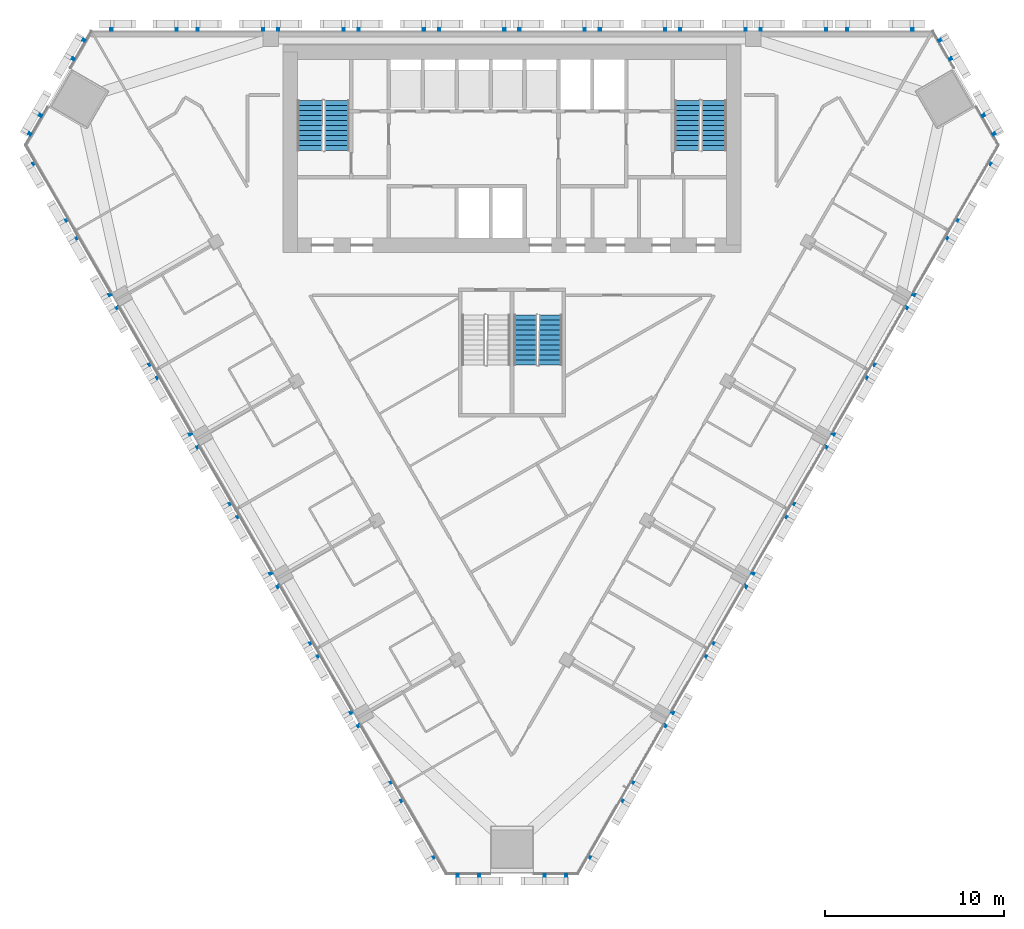
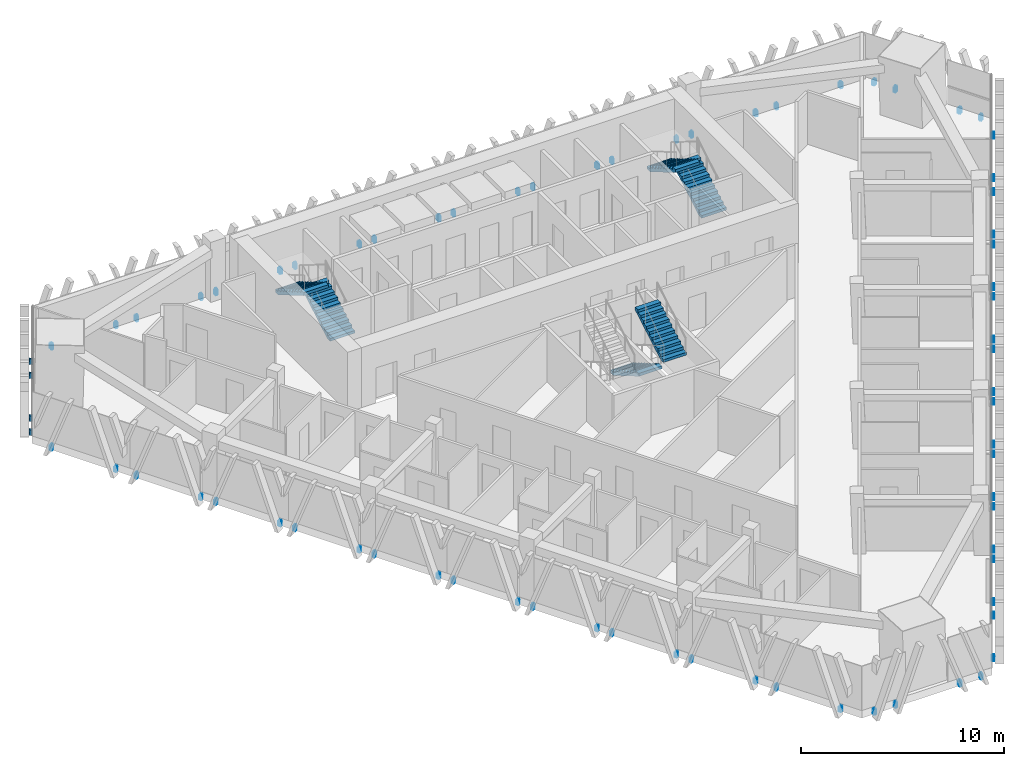
# One storey, part 13 of 16: 6 discrete accessories, 6 stair flights, 3 elements without a shape of their own.
"""IFC4 building model written with IfcOpenShell, lengths in metres."""

from ifc_helpers import new_model, si_unit, direction, frame, origin, place, context, subcontext, project, spatial, polyline, outline, extrude, source, transform, mapped, material, type_object, element, aggregate, save


model = new_model("IFC4")

# Units and contexts
model_context = context("Model", 3, precision=1e-05, world=origin(), true_north=direction((0.0, 1.0)))
body_context = subcontext(model_context, "Body", "Model", "MODEL_VIEW")
ifc_project = project(units=[si_unit("LENGTHUNIT", "METRE"), si_unit("AREAUNIT", "SQUARE_METRE"), si_unit("VOLUMEUNIT", "CUBIC_METRE"), si_unit("PLANEANGLEUNIT", "RADIAN"), si_unit("MASSUNIT", "GRAM", prefix="KILO")], contexts=[model_context])

# Site, building, storey
site_placement = place(None, origin())
site = spatial("IfcSite", under=ifc_project, at=site_placement, CompositionType="ELEMENT")
building_placement = place(site_placement, origin())
building = spatial("IfcBuilding", under=site, at=building_placement, Name="Altiplano Prism Tower", CompositionType="ELEMENT")
storey_placement = place(building_placement, frame((0.0, 0.0, 149.39990234375)))
storey = spatial("IfcBuildingStorey", under=building, at=storey_placement, Name="L38", CompositionType="ELEMENT", Elevation=149.39990234375)

# Stair, stair flights
ifc_material_1 = material(Name="Concrete C40/50", Category="concrete")
stair_type_1 = type_object("IfcStairType", Name="Exit stair 1400", PredefinedType="HALF_TURN_STAIR", material=ifc_material_1)
stair_1_placement = place(storey_placement, origin())
stair_1 = element("IfcStair", 1, at=stair_1_placement, inside=storey, type_object=stair_type_1, Name="L38 Exit Stair 1", PredefinedType="HALF_TURN_STAIR")
stair_flight_type = type_object("IfcStairFlightType", Name="Stair flight concrete 150", PredefinedType="STRAIGHT", material=ifc_material_1)
stair_flight_1_placement = place(storey_placement, frame((75.199951171875, 98.300048828125, 0.0), z_axis=(0.0, 0.0, 1.0), x_axis=(0.0, 1.0, 0.0)))
stair_flight_1 = element("IfcStairFlight", 2, at=stair_flight_1_placement, type_object=stair_flight_type, Name="ST1 flight 1", NumberOfRisers=11, NumberOfTreads=10, PredefinedType="STRAIGHT", RiserHeight=0.163636364, TreadLength=0.28, context=body_context, shape_type="SweptSolid", body=[
    extrude(outline(polyline([(0.0, 0.0), (0.0, 0.16357421875), (0.280029296875, 0.16357421875), (0.280029296875, 0.327392578125), (0.56005859375, 0.327392578125), (0.56005859375, 0.490966796875), (0.840087890625, 0.490966796875), (0.840087890625, 0.654541015625), (1.1201171875, 0.654541015625), (1.1201171875, 0.818115234375), (1.39990234375, 0.818115234375), (1.39990234375, 0.98193359375), (1.679931640625, 0.98193359375), (1.679931640625, 1.1455078125), (1.9599609375, 1.1455078125), (1.9599609375, 1.30908203125), (2.239990234375, 1.30908203125), (2.239990234375, 1.47265625), (2.52001953125, 1.47265625), (2.52001953125, 1.636474609375), (2.800048828125, 1.636474609375), (2.800048828125, 1.800048828125), (2.800048828125, 1.462646484375), (0.297119140625, 0.0), (0.0, 0.0)])), frame((0.0, 0.699951171875, 0.0), z_axis=(0.0, -1.0, 0.0), x_axis=(1.0, 0.0, 0.0)), (0.0, 0.0, 1.0), 1.39990234375),
])
stair_flight_2_placement = place(storey_placement, frame((73.699951171875, 101.10009765625, 1.800048828125), z_axis=(0.0, 0.0, 1.0), x_axis=(0.0, -1.0, 0.0)))
stair_flight_2 = element("IfcStairFlight", 3, at=stair_flight_2_placement, type_object=stair_flight_type, Name="ST1 flight 2", NumberOfRisers=11, NumberOfTreads=10, PredefinedType="STRAIGHT", RiserHeight=0.163636364, TreadLength=0.28, context=body_context, shape_type="SweptSolid", body=[
    extrude(outline(polyline([(0.0, 0.0), (0.0, 0.16357421875), (0.280029296875, 0.16357421875), (0.280029296875, 0.327392578125), (0.56005859375, 0.327392578125), (0.56005859375, 0.490966796875), (0.840087890625, 0.490966796875), (0.840087890625, 0.654541015625), (1.1201171875, 0.654541015625), (1.1201171875, 0.818115234375), (1.39990234375, 0.818115234375), (1.39990234375, 0.98193359375), (1.679931640625, 0.98193359375), (1.679931640625, 1.1455078125), (1.9599609375, 1.1455078125), (1.9599609375, 1.30908203125), (2.239990234375, 1.30908203125), (2.239990234375, 1.47265625), (2.52001953125, 1.47265625), (2.52001953125, 1.636474609375), (2.800048828125, 1.636474609375), (2.800048828125, 1.800048828125), (2.800048828125, 1.462646484375), (0.297119140625, 0.0), (0.0, 0.0)])), frame((0.0, 0.699951171875, 0.0), z_axis=(0.0, -1.0, 0.0), x_axis=(1.0, 0.0, 0.0)), (0.0, 0.0, 1.0), 1.39990234375),
])
aggregate(stair_1, [stair_flight_1, stair_flight_2])

stair_2_placement = place(storey_placement, origin())
stair_2 = element("IfcStair", 4, at=stair_2_placement, inside=storey, type_object=stair_type_1, Name="L38 Exit Stair 2", PredefinedType="HALF_TURN_STAIR")
stair_flight_3_placement = place(storey_placement, frame((96.300048828125, 98.300048828125, 0.0), z_axis=(0.0, 0.0, 1.0), x_axis=(0.0, 1.0, 0.0)))
stair_flight_3 = element("IfcStairFlight", 5, at=stair_flight_3_placement, type_object=stair_flight_type, Name="ST2 flight 1", NumberOfRisers=11, NumberOfTreads=10, PredefinedType="STRAIGHT", RiserHeight=0.163636364, TreadLength=0.28, context=body_context, shape_type="SweptSolid", body=[
    extrude(outline(polyline([(0.0, 0.0), (0.0, 0.16357421875), (0.280029296875, 0.16357421875), (0.280029296875, 0.327392578125), (0.56005859375, 0.327392578125), (0.56005859375, 0.490966796875), (0.840087890625, 0.490966796875), (0.840087890625, 0.654541015625), (1.1201171875, 0.654541015625), (1.1201171875, 0.818115234375), (1.39990234375, 0.818115234375), (1.39990234375, 0.98193359375), (1.679931640625, 0.98193359375), (1.679931640625, 1.1455078125), (1.9599609375, 1.1455078125), (1.9599609375, 1.30908203125), (2.239990234375, 1.30908203125), (2.239990234375, 1.47265625), (2.52001953125, 1.47265625), (2.52001953125, 1.636474609375), (2.800048828125, 1.636474609375), (2.800048828125, 1.800048828125), (2.800048828125, 1.462646484375), (0.297119140625, 0.0), (0.0, 0.0)])), frame((0.0, 0.699951171875, 0.0), z_axis=(0.0, -1.0, 0.0), x_axis=(1.0, 0.0, 0.0)), (0.0, 0.0, 1.0), 1.39990234375),
])
stair_flight_4_placement = place(storey_placement, frame((94.800048828125, 101.10009765625, 1.800048828125), z_axis=(0.0, 0.0, 1.0), x_axis=(0.0, -1.0, 0.0)))
stair_flight_4 = element("IfcStairFlight", 6, at=stair_flight_4_placement, type_object=stair_flight_type, Name="ST2 flight 2", NumberOfRisers=11, NumberOfTreads=10, PredefinedType="STRAIGHT", RiserHeight=0.163636364, TreadLength=0.28, context=body_context, shape_type="SweptSolid", body=[
    extrude(outline(polyline([(0.0, 0.0), (0.0, 0.16357421875), (0.280029296875, 0.16357421875), (0.280029296875, 0.327392578125), (0.56005859375, 0.327392578125), (0.56005859375, 0.490966796875), (0.840087890625, 0.490966796875), (0.840087890625, 0.654541015625), (1.1201171875, 0.654541015625), (1.1201171875, 0.818115234375), (1.39990234375, 0.818115234375), (1.39990234375, 0.98193359375), (1.679931640625, 0.98193359375), (1.679931640625, 1.1455078125), (1.9599609375, 1.1455078125), (1.9599609375, 1.30908203125), (2.239990234375, 1.30908203125), (2.239990234375, 1.47265625), (2.52001953125, 1.47265625), (2.52001953125, 1.636474609375), (2.800048828125, 1.636474609375), (2.800048828125, 1.800048828125), (2.800048828125, 1.462646484375), (0.297119140625, 0.0), (0.0, 0.0)])), frame((0.0, 0.699951171875, 0.0), z_axis=(0.0, -1.0, 0.0), x_axis=(1.0, 0.0, 0.0)), (0.0, 0.0, 1.0), 1.39990234375),
])
aggregate(stair_2, [stair_flight_3, stair_flight_4])

stair_type_2 = type_object("IfcStairType", Name="Exit stair 1300", PredefinedType="HALF_TURN_STAIR", material=ifc_material_1)
stair_3_placement = place(storey_placement, origin())
stair_3 = element("IfcStair", 7, at=stair_3_placement, inside=storey, type_object=stair_type_2, Name="L38 Exit Stair 3B", PredefinedType="HALF_TURN_STAIR")
stair_flight_5_placement = place(storey_placement, frame((85.75, 89.10009765625, 0.0), z_axis=(0.0, 0.0, 1.0), x_axis=(0.0, -1.0, 0.0)))
stair_flight_5 = element("IfcStairFlight", 8, at=stair_flight_5_placement, type_object=stair_flight_type, Name="ST3B flight 1", NumberOfRisers=11, NumberOfTreads=10, PredefinedType="STRAIGHT", RiserHeight=0.163636364, TreadLength=0.28, context=body_context, shape_type="SweptSolid", body=[
    extrude(outline(polyline([(0.0, 0.0), (0.0, 0.16357421875), (0.280029296875, 0.16357421875), (0.280029296875, 0.327392578125), (0.56005859375, 0.327392578125), (0.56005859375, 0.490966796875), (0.840087890625, 0.490966796875), (0.840087890625, 0.654541015625), (1.1201171875, 0.654541015625), (1.1201171875, 0.818115234375), (1.39990234375, 0.818115234375), (1.39990234375, 0.98193359375), (1.679931640625, 0.98193359375), (1.679931640625, 1.1455078125), (1.9599609375, 1.1455078125), (1.9599609375, 1.30908203125), (2.239990234375, 1.30908203125), (2.239990234375, 1.47265625), (2.52001953125, 1.47265625), (2.52001953125, 1.636474609375), (2.800048828125, 1.636474609375), (2.800048828125, 1.800048828125), (2.800048828125, 1.462646484375), (0.297119140625, 0.0), (0.0, 0.0)])), frame((0.0, 0.64990234375, 0.0), z_axis=(0.0, -1.0, 0.0), x_axis=(1.0, 0.0, 0.0)), (0.0, 0.0, 1.0), 1.300048828125),
])
stair_flight_6_placement = place(storey_placement, frame((87.14990234375, 86.300048828125, 1.800048828125), z_axis=(0.0, 0.0, 1.0), x_axis=(0.0, 1.0, 0.0)))
stair_flight_6 = element("IfcStairFlight", 9, at=stair_flight_6_placement, type_object=stair_flight_type, Name="ST3B flight 2", NumberOfRisers=11, NumberOfTreads=10, PredefinedType="STRAIGHT", RiserHeight=0.163636364, TreadLength=0.28, context=body_context, shape_type="SweptSolid", body=[
    extrude(outline(polyline([(0.0, 0.0), (0.0, 0.16357421875), (0.280029296875, 0.16357421875), (0.280029296875, 0.327392578125), (0.56005859375, 0.327392578125), (0.56005859375, 0.490966796875), (0.840087890625, 0.490966796875), (0.840087890625, 0.654541015625), (1.1201171875, 0.654541015625), (1.1201171875, 0.818115234375), (1.39990234375, 0.818115234375), (1.39990234375, 0.98193359375), (1.679931640625, 0.98193359375), (1.679931640625, 1.1455078125), (1.9599609375, 1.1455078125), (1.9599609375, 1.30908203125), (2.239990234375, 1.30908203125), (2.239990234375, 1.47265625), (2.52001953125, 1.47265625), (2.52001953125, 1.636474609375), (2.800048828125, 1.636474609375), (2.800048828125, 1.800048828125), (2.800048828125, 1.462646484375), (0.297119140625, 0.0), (0.0, 0.0)])), frame((0.0, 0.64990234375, 0.0), z_axis=(0.0, -1.0, 0.0), x_axis=(1.0, 0.0, 0.0)), (0.0, 0.0, 1.0), 1.300048828125),
])
aggregate(stair_3, [stair_flight_5, stair_flight_6])

# Discrete accessories
ifc_material_2 = material(Name="Stainless steel", Category="steel")
discrete_accessory_type = type_object("IfcDiscreteAccessoryType", Name="Stone fin fixing prongs", PredefinedType="USERDEFINED", material=ifc_material_2)
shared_shape_1 = source(origin(), body_context, "Body", "SweptSolid", [
    extrude(outline(polyline([(-1.888427734375, 0.06005859375), (-1.768310546875, 0.06005859375), (-1.768310546875, 0.389892578125), (-1.888427734375, 0.389892578125), (-1.888427734375, 0.06005859375)])), frame((0.0, 0.0, 0.0), z_axis=(0.0, -1.0, 0.0), x_axis=(1.0, 0.0, 0.0)), (0.0, 0.0, 1.0), 0.14990234375),
    extrude(outline(polyline([(1.768310546875, 0.06005859375), (1.888427734375, 0.06005859375), (1.888427734375, 0.389892578125), (1.768310546875, 0.389892578125), (1.768310546875, 0.06005859375)])), frame((0.0, 0.0, 0.0), z_axis=(0.0, -1.0, 0.0), x_axis=(1.0, 0.0, 0.0)), (0.0, 0.0, 1.0), 0.14990234375),
])
shared_shape_2 = source(origin(), body_context, "Body", "SweptSolid", [
    extrude(outline(polyline([(-1.888427734375, 0.06005859375), (-1.768310546875, 0.06005859375), (-1.768310546875, 0.389892578125), (-1.888427734375, 0.389892578125), (-1.888427734375, 0.06005859375)])), frame((0.0, 0.0, 0.0), z_axis=(0.0, -1.0, 0.0), x_axis=(1.0, 0.0, 0.0)), (0.0, 0.0, 1.0), 0.14990234375),
    extrude(outline(polyline([(1.768310546875, 0.06005859375), (1.888427734375, 0.06005859375), (1.888427734375, 0.389892578125), (1.768310546875, 0.389892578125), (1.768310546875, 0.06005859375)])), frame((0.0, 0.0, 0.0), z_axis=(0.0, -1.0, 0.0), x_axis=(1.0, 0.0, 0.0)), (0.0, 0.0, 1.0), 0.14990234375),
])
discrete_accessory_1_placement = place(storey_placement, origin())
element("IfcDiscreteAccessory", 10, at=discrete_accessory_1_placement, inside=storey, type_object=discrete_accessory_type, Name="Fin fixings L38 north face", ObjectType="BRACKET", PredefinedType="USERDEFINED", context=body_context, shape_type="MappedRepresentation", body=[
    mapped(shared_shape_1, transform((105.575439453125, 105.0, -0.449951171875), x_axis=(-1.0, 0.0, 0.0), y_axis=(0.0, -1.0, 0.0), z_axis=(0.0, 0.0, 1.0))),
    mapped(shared_shape_2, transform((100.75, 105.0, -0.449951171875), x_axis=(-1.0, 0.0, 0.0), y_axis=(0.0, -1.0, 0.0), z_axis=(0.0, 0.0, 1.0))),
    mapped(shared_shape_2, transform((96.25, 105.0, -0.449951171875), x_axis=(-1.0, 0.0, 0.0), y_axis=(0.0, -1.0, 0.0), z_axis=(0.0, 0.0, 1.0))),
    mapped(shared_shape_2, transform((91.75, 105.0, -0.449951171875), x_axis=(-1.0, 0.0, 0.0), y_axis=(0.0, -1.0, 0.0), z_axis=(0.0, 0.0, 1.0))),
    mapped(shared_shape_2, transform((87.25, 105.0, -0.449951171875), x_axis=(-1.0, 0.0, 0.0), y_axis=(0.0, -1.0, 0.0), z_axis=(0.0, 0.0, 1.0))),
    mapped(shared_shape_2, transform((82.75, 105.0, -0.449951171875), x_axis=(-1.0, 0.0, 0.0), y_axis=(0.0, -1.0, 0.0), z_axis=(0.0, 0.0, 1.0))),
    mapped(shared_shape_2, transform((78.25, 105.0, -0.449951171875), x_axis=(-1.0, 0.0, 0.0), y_axis=(0.0, -1.0, 0.0), z_axis=(0.0, 0.0, 1.0))),
    mapped(shared_shape_2, transform((73.75, 105.0, -0.449951171875), x_axis=(-1.0, 0.0, 0.0), y_axis=(0.0, -1.0, 0.0), z_axis=(0.0, 0.0, 1.0))),
    mapped(shared_shape_2, transform((69.25, 105.0, -0.449951171875), x_axis=(-1.0, 0.0, 0.0), y_axis=(0.0, -1.0, 0.0), z_axis=(0.0, 0.0, 1.0))),
    mapped(shared_shape_1, transform((64.424560546875, 105.0, -0.449951171875), x_axis=(-1.0, 0.0, 0.0), y_axis=(0.0, -1.0, 0.0), z_axis=(0.0, 0.0, 1.0))),
])
discrete_accessory_2_placement = place(storey_placement, origin())
element("IfcDiscreteAccessory", 11, at=discrete_accessory_2_placement, inside=storey, type_object=discrete_accessory_type, Name="Fin fixings L38 south-west face", ObjectType="BRACKET", PredefinedType="USERDEFINED", context=body_context, shape_type="MappedRepresentation", body=[
    mapped(shared_shape_1, transform((59.245361328125, 96.029296875, -0.449951171875), x_axis=(0.500000004206, -0.866025401356, 0.0), y_axis=(0.866025401356, 0.500000004206, 0.0), z_axis=(0.0, 0.0, 1.0))),
    mapped(shared_shape_2, transform((61.658203125, 91.8505859375, -0.449951171875), x_axis=(0.500000004206, -0.866025401356, 0.0), y_axis=(0.866025401356, 0.500000004206, 0.0), z_axis=(0.0, 0.0, 1.0))),
    mapped(shared_shape_2, transform((63.908203125, 87.953369140625, -0.449951171875), x_axis=(0.500000004206, -0.866025401356, 0.0), y_axis=(0.866025401356, 0.500000004206, 0.0), z_axis=(0.0, 0.0, 1.0))),
    mapped(shared_shape_2, transform((66.158203125, 84.05615234375, -0.449951171875), x_axis=(0.500000004206, -0.866025401356, 0.0), y_axis=(0.866025401356, 0.500000004206, 0.0), z_axis=(0.0, 0.0, 1.0))),
    mapped(shared_shape_2, transform((68.408203125, 80.1591796875, -0.449951171875), x_axis=(0.500000004206, -0.866025401356, 0.0), y_axis=(0.866025401356, 0.500000004206, 0.0), z_axis=(0.0, 0.0, 1.0))),
    mapped(shared_shape_2, transform((70.658203125, 76.261962890625, -0.449951171875), x_axis=(0.500000004206, -0.866025401356, 0.0), y_axis=(0.866025401356, 0.500000004206, 0.0), z_axis=(0.0, 0.0, 1.0))),
    mapped(shared_shape_2, transform((72.908203125, 72.364990234375, -0.449951171875), x_axis=(0.500000004206, -0.866025401356, 0.0), y_axis=(0.866025401356, 0.500000004206, 0.0), z_axis=(0.0, 0.0, 1.0))),
    mapped(shared_shape_2, transform((75.158203125, 68.4677734375, -0.449951171875), x_axis=(0.500000004206, -0.866025401356, 0.0), y_axis=(0.866025401356, 0.500000004206, 0.0), z_axis=(0.0, 0.0, 1.0))),
    mapped(shared_shape_2, transform((77.408203125, 64.570556640625, -0.449951171875), x_axis=(0.500000004206, -0.866025401356, 0.0), y_axis=(0.866025401356, 0.500000004206, 0.0), z_axis=(0.0, 0.0, 1.0))),
    mapped(shared_shape_1, transform((79.82080078125, 60.391845703125, -0.449951171875), x_axis=(0.500000004206, -0.866025401356, 0.0), y_axis=(0.866025401356, 0.500000004206, 0.0), z_axis=(0.0, 0.0, 1.0))),
])
discrete_accessory_3_placement = place(storey_placement, origin())
element("IfcDiscreteAccessory", 12, at=discrete_accessory_3_placement, inside=storey, type_object=discrete_accessory_type, Name="Fin fixings L38 south-east face", ObjectType="BRACKET", PredefinedType="USERDEFINED", context=body_context, shape_type="MappedRepresentation", body=[
    mapped(shared_shape_1, transform((90.17919921875, 60.391845703125, -0.449951171875), x_axis=(0.500000004206, 0.866025401356, 0.0), y_axis=(-0.866025401356, 0.500000004206, 0.0), z_axis=(0.0, 0.0, 1.0))),
    mapped(shared_shape_2, transform((92.591796875, 64.570556640625, -0.449951171875), x_axis=(0.500000004206, 0.866025401356, 0.0), y_axis=(-0.866025401356, 0.500000004206, 0.0), z_axis=(0.0, 0.0, 1.0))),
    mapped(shared_shape_2, transform((94.841796875, 68.4677734375, -0.449951171875), x_axis=(0.500000004206, 0.866025401356, 0.0), y_axis=(-0.866025401356, 0.500000004206, 0.0), z_axis=(0.0, 0.0, 1.0))),
    mapped(shared_shape_2, transform((97.091796875, 72.364990234375, -0.449951171875), x_axis=(0.500000004206, 0.866025401356, 0.0), y_axis=(-0.866025401356, 0.500000004206, 0.0), z_axis=(0.0, 0.0, 1.0))),
    mapped(shared_shape_2, transform((99.341796875, 76.261962890625, -0.449951171875), x_axis=(0.500000004206, 0.866025401356, 0.0), y_axis=(-0.866025401356, 0.500000004206, 0.0), z_axis=(0.0, 0.0, 1.0))),
    mapped(shared_shape_2, transform((101.591796875, 80.1591796875, -0.449951171875), x_axis=(0.500000004206, 0.866025401356, 0.0), y_axis=(-0.866025401356, 0.500000004206, 0.0), z_axis=(0.0, 0.0, 1.0))),
    mapped(shared_shape_2, transform((103.841796875, 84.05615234375, -0.449951171875), x_axis=(0.500000004206, 0.866025401356, 0.0), y_axis=(-0.866025401356, 0.500000004206, 0.0), z_axis=(0.0, 0.0, 1.0))),
    mapped(shared_shape_2, transform((106.091796875, 87.953369140625, -0.449951171875), x_axis=(0.500000004206, 0.866025401356, 0.0), y_axis=(-0.866025401356, 0.500000004206, 0.0), z_axis=(0.0, 0.0, 1.0))),
    mapped(shared_shape_2, transform((108.341796875, 91.8505859375, -0.449951171875), x_axis=(0.500000004206, 0.866025401356, 0.0), y_axis=(-0.866025401356, 0.500000004206, 0.0), z_axis=(0.0, 0.0, 1.0))),
    mapped(shared_shape_1, transform((110.754638671875, 96.029296875, -0.449951171875), x_axis=(0.500000004206, 0.866025401356, 0.0), y_axis=(-0.866025401356, 0.500000004206, 0.0), z_axis=(0.0, 0.0, 1.0))),
])
shared_shape_3 = source(origin(), body_context, "Body", "SweptSolid", [
    extrude(outline(polyline([(-3.08837890625, 0.06005859375), (-2.968505859375, 0.06005859375), (-2.968505859375, 0.389892578125), (-3.08837890625, 0.389892578125), (-3.08837890625, 0.06005859375)])), frame((0.0, 0.0, 0.0), z_axis=(0.0, -1.0, 0.0), x_axis=(1.0, 0.0, 0.0)), (0.0, 0.0, 1.0), 0.14990234375),
    extrude(outline(polyline([(-1.888427734375, 0.06005859375), (-1.768310546875, 0.06005859375), (-1.768310546875, 0.389892578125), (-1.888427734375, 0.389892578125), (-1.888427734375, 0.06005859375)])), frame((0.0, 0.0, 0.0), z_axis=(0.0, -1.0, 0.0), x_axis=(1.0, 0.0, 0.0)), (0.0, 0.0, 1.0), 0.14990234375),
    extrude(outline(polyline([(1.768310546875, 0.06005859375), (1.888427734375, 0.06005859375), (1.888427734375, 0.389892578125), (1.768310546875, 0.389892578125), (1.768310546875, 0.06005859375)])), frame((0.0, 0.0, 0.0), z_axis=(0.0, -1.0, 0.0), x_axis=(1.0, 0.0, 0.0)), (0.0, 0.0, 1.0), 0.14990234375),
    extrude(outline(polyline([(2.968505859375, 0.06005859375), (3.08837890625, 0.06005859375), (3.08837890625, 0.389892578125), (2.968505859375, 0.389892578125), (2.968505859375, 0.06005859375)])), frame((0.0, 0.0, 0.0), z_axis=(0.0, -1.0, 0.0), x_axis=(1.0, 0.0, 0.0)), (0.0, 0.0, 1.0), 0.14990234375),
])
discrete_accessory_4_placement = place(storey_placement, origin())
element("IfcDiscreteAccessory", 13, at=discrete_accessory_4_placement, inside=storey, type_object=discrete_accessory_type, Name="Fin fixings L38 north-west chamfer", ObjectType="BRACKET", PredefinedType="USERDEFINED", context=body_context, shape_type="MappedRepresentation", body=[
    mapped(shared_shape_3, transform((59.603515625, 101.802978515625, -0.449951171875), x_axis=(-0.500000008072, -0.866025399124, 0.0), y_axis=(0.866025399124, -0.500000008072, 0.0), z_axis=(0.0, 0.0, 1.0))),
])
discrete_accessory_5_placement = place(storey_placement, origin())
element("IfcDiscreteAccessory", 14, at=discrete_accessory_5_placement, inside=storey, type_object=discrete_accessory_type, Name="Fin fixings L38 south chamfer", ObjectType="BRACKET", PredefinedType="USERDEFINED", context=body_context, shape_type="MappedRepresentation", body=[
    mapped(shared_shape_3, transform((85.0, 57.81494140625, -0.449951171875), x_axis=(1.0, 0.0, 0.0), y_axis=(0.0, 1.0, 0.0), z_axis=(0.0, 0.0, 1.0))),
])
discrete_accessory_6_placement = place(storey_placement, origin())
element("IfcDiscreteAccessory", 15, at=discrete_accessory_6_placement, inside=storey, type_object=discrete_accessory_type, Name="Fin fixings L38 north-east chamfer", ObjectType="BRACKET", PredefinedType="USERDEFINED", context=body_context, shape_type="MappedRepresentation", body=[
    mapped(shared_shape_3, transform((110.396484375, 101.802978515625, -0.449951171875), x_axis=(-0.500000008072, 0.866025399124, 0.0), y_axis=(-0.866025399124, -0.500000008072, 0.0), z_axis=(0.0, 0.0, 1.0))),
])

save(model, "model.ifc")
